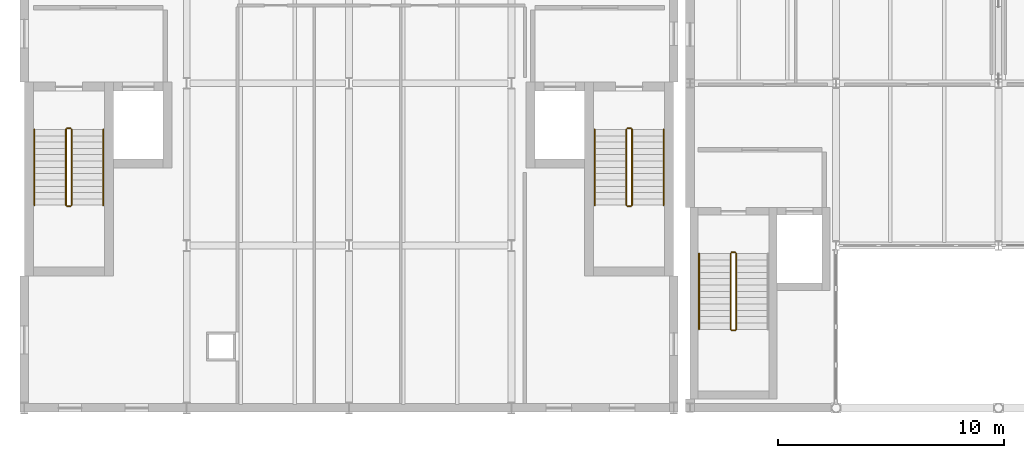
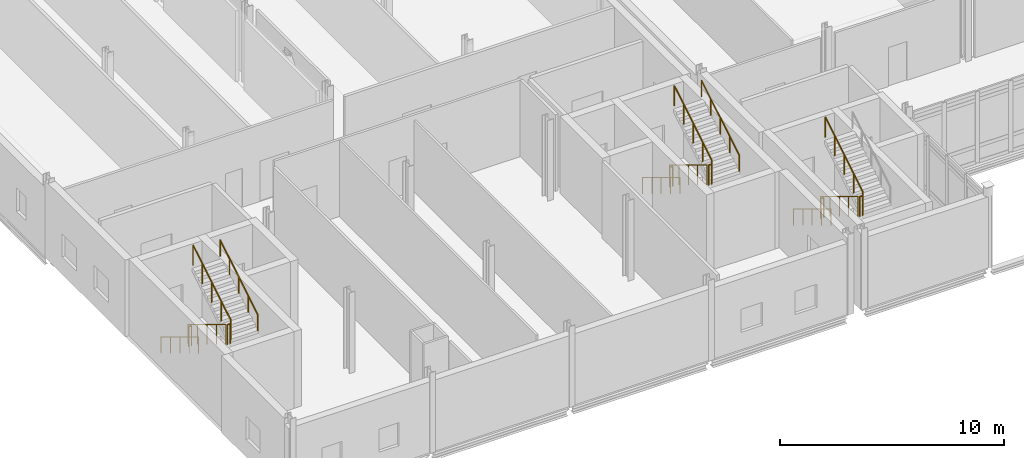
# One storey, part 65 of 76: 17 railings.
"""IFC4 building model written with IfcOpenShell, lengths in metres."""

from ifc_helpers import new_model, si_unit, direction, frame, origin, origin_2d, place, context, subcontext, project, spatial, circle, extrude, material, layer, layer_set, type_object, element, save


model = new_model("IFC4")

# Units and contexts
model_context = context("Model", 3, precision=1e-05, world=origin(), true_north=direction((0.0, 1.0)))
body_context = subcontext(model_context, "Body", "Model", "MODEL_VIEW")
ifc_project = project(units=[si_unit("LENGTHUNIT", "METRE"), si_unit("AREAUNIT", "SQUARE_METRE"), si_unit("VOLUMEUNIT", "CUBIC_METRE"), si_unit("PLANEANGLEUNIT", "RADIAN"), si_unit("MASSUNIT", "GRAM", prefix="KILO")], contexts=[model_context])

# Site, building, storey
site_placement = place(None, origin())
site = spatial("IfcSite", under=ifc_project, at=site_placement, CompositionType="ELEMENT")
building_placement = place(site_placement, origin())
building = spatial("IfcBuilding", under=site, at=building_placement, Name="Zarrinpeak Specialist Clinic", CompositionType="ELEMENT")
storey_placement = place(building_placement, frame((0.0, 0.0, 5.199951171875)))
storey = spatial("IfcBuildingStorey", under=building, at=storey_placement, Name="L01", CompositionType="ELEMENT", Elevation=5.199951171875)

# Railings
ifc_material_1 = material(Name="Laminated Safety Glass and Stainless Steel 316", Category="steel")
ifc_layer_1 = layer(ifc_material_1, 0.06005859375)
ifc_layer_set_1 = layer_set([ifc_layer_1], Name="Laminated Safety Glass and Stainless Steel 316")
railing_type_1 = type_object("IfcRailingType", Name="RL-GRD115", PredefinedType="GUARDRAIL", material=ifc_layer_set_1)
railing_1_placement = place(storey_placement, frame((1.85009765625, 12.35009765625, 0.169189453125)))
element("IfcRailing", 1, at=railing_1_placement, inside=storey, type_object=railing_type_1, Name="L01 ST-01 stair guard 1", PredefinedType="GUARDRAIL", context=body_context, shape_type="SweptSolid", body=[
    extrude(circle(Radius=0.02392578125, at=origin_2d()), frame((0.0, 0.0, 1.076171875), z_axis=(0.0, -0.855836976705, 0.517245656632), x_axis=(1.0, 0.0, 0.0)), (0.0, 0.0, 1.0), 3.926025390625),
    extrude(circle(Radius=0.02099609375, at=origin_2d()), origin(), (0.0, 0.0, 1.0), 1.052001953125),
    extrude(circle(Radius=0.02099609375, at=origin_2d()), frame((0.0, -0.840087890625, 0.5078125)), (0.0, 0.0, 1.0), 1.052001953125),
    extrude(circle(Radius=0.02099609375, at=origin_2d()), frame((0.0, -1.68017578125, 1.015380859375)), (0.0, 0.0, 1.0), 1.052001953125),
    extrude(circle(Radius=0.02099609375, at=origin_2d()), frame((0.0, -2.52001953125, 1.52294921875)), (0.0, 0.0, 1.0), 1.052001953125),
    extrude(circle(Radius=0.02099609375, at=origin_2d()), frame((0.0, -3.360107421875, 2.03076171875)), (0.0, 0.0, 1.0), 1.052001953125),
])
railing_2_placement = place(storey_placement, frame((1.89990234375, 8.93994140625, 2.199951171875)))
element("IfcRailing", 2, at=railing_2_placement, inside=storey, type_object=railing_type_1, Name="L01 ST-01 stair guard 2", PredefinedType="GUARDRAIL", context=body_context, shape_type="SweptSolid", body=[
    extrude(circle(Radius=0.02392578125, at=origin_2d()), frame((0.0, 0.0, 1.076171875), z_axis=(1.0, 0.0, 0.0), x_axis=(0.0, 1.0, 0.0)), (0.0, 0.0, 1.0), 0.150146484375),
    extrude(circle(Radius=0.02099609375, at=origin_2d()), origin(), (0.0, 0.0, 1.0), 1.052001953125),
    extrude(circle(Radius=0.02099609375, at=origin_2d()), frame((0.150146484375, 0.0, 0.0)), (0.0, 0.0, 1.0), 1.052001953125),
])
railing_3_placement = place(storey_placement, frame((2.10009765625, 8.989990234375, 2.369384765625)))
element("IfcRailing", 3, at=railing_3_placement, inside=storey, type_object=railing_type_1, Name="L01 ST-01 stair guard 3", PredefinedType="GUARDRAIL", context=body_context, shape_type="SweptSolid", body=[
    extrude(circle(Radius=0.02392578125, at=origin_2d()), frame((0.0, 0.0, 1.076171875), z_axis=(0.0, 0.855836976705, 0.517245656632), x_axis=(-1.0, 0.0, 0.0)), (0.0, 0.0, 1.0), 3.926025390625),
    extrude(circle(Radius=0.02099609375, at=origin_2d()), origin(), (0.0, 0.0, 1.0), 1.052001953125),
    extrude(circle(Radius=0.02099609375, at=origin_2d()), frame((0.0, 0.840087890625, 0.5078125)), (0.0, 0.0, 1.0), 1.052001953125),
    extrude(circle(Radius=0.02099609375, at=origin_2d()), frame((0.0, 1.68017578125, 1.015380859375)), (0.0, 0.0, 1.0), 1.052001953125),
    extrude(circle(Radius=0.02099609375, at=origin_2d()), frame((0.0, 2.52001953125, 1.52294921875)), (0.0, 0.0, 1.0), 1.052001953125),
    extrude(circle(Radius=0.02099609375, at=origin_2d()), frame((0.0, 3.360107421875, 2.03076171875)), (0.0, 0.0, 1.0), 1.052001953125),
])
railing_4_placement = place(storey_placement, frame((1.89990234375, 12.39990234375, 0.0)))
element("IfcRailing", 4, at=railing_4_placement, inside=storey, type_object=railing_type_1, Name="L01 ST-01 stair guard 4", PredefinedType="GUARDRAIL", context=body_context, shape_type="SweptSolid", body=[
    extrude(circle(Radius=0.02392578125, at=origin_2d()), frame((0.0, 0.0, 1.076171875), z_axis=(1.0, 0.0, 0.0), x_axis=(0.0, 1.0, 0.0)), (0.0, 0.0, 1.0), 0.150146484375),
    extrude(circle(Radius=0.02099609375, at=origin_2d()), origin(), (0.0, 0.0, 1.0), 1.052001953125),
    extrude(circle(Radius=0.02099609375, at=origin_2d()), frame((0.150146484375, 0.0, 0.0)), (0.0, 0.0, 1.0), 1.052001953125),
])
railing_5_placement = place(storey_placement, frame((26.699951171875, 12.35009765625, 0.169189453125)))
element("IfcRailing", 5, at=railing_5_placement, inside=storey, type_object=railing_type_1, Name="L01 ST-02 stair guard 1", PredefinedType="GUARDRAIL", context=body_context, shape_type="SweptSolid", body=[
    extrude(circle(Radius=0.02392578125, at=origin_2d()), frame((0.0, 0.0, 1.076171875), z_axis=(0.0, -0.855836976705, 0.517245656632), x_axis=(1.0, 0.0, 0.0)), (0.0, 0.0, 1.0), 3.926025390625),
    extrude(circle(Radius=0.02099609375, at=origin_2d()), origin(), (0.0, 0.0, 1.0), 1.052001953125),
    extrude(circle(Radius=0.02099609375, at=origin_2d()), frame((0.0, -0.840087890625, 0.5078125)), (0.0, 0.0, 1.0), 1.052001953125),
    extrude(circle(Radius=0.02099609375, at=origin_2d()), frame((0.0, -1.68017578125, 1.015380859375)), (0.0, 0.0, 1.0), 1.052001953125),
    extrude(circle(Radius=0.02099609375, at=origin_2d()), frame((0.0, -2.52001953125, 1.52294921875)), (0.0, 0.0, 1.0), 1.052001953125),
    extrude(circle(Radius=0.02099609375, at=origin_2d()), frame((0.0, -3.360107421875, 2.03076171875)), (0.0, 0.0, 1.0), 1.052001953125),
])
railing_6_placement = place(storey_placement, frame((26.75, 8.93994140625, 2.199951171875)))
element("IfcRailing", 6, at=railing_6_placement, inside=storey, type_object=railing_type_1, Name="L01 ST-02 stair guard 2", PredefinedType="GUARDRAIL", context=body_context, shape_type="SweptSolid", body=[
    extrude(circle(Radius=0.02392578125, at=origin_2d()), frame((0.0, 0.0, 1.076171875), z_axis=(1.0, 0.0, 0.0), x_axis=(0.0, 1.0, 0.0)), (0.0, 0.0, 1.0), 0.14990234375),
    extrude(circle(Radius=0.02099609375, at=origin_2d()), origin(), (0.0, 0.0, 1.0), 1.052001953125),
    extrude(circle(Radius=0.02099609375, at=origin_2d()), frame((0.14990234375, 0.0, 0.0)), (0.0, 0.0, 1.0), 1.052001953125),
])
railing_7_placement = place(storey_placement, frame((26.949951171875, 8.989990234375, 2.369384765625)))
element("IfcRailing", 7, at=railing_7_placement, inside=storey, type_object=railing_type_1, Name="L01 ST-02 stair guard 3", PredefinedType="GUARDRAIL", context=body_context, shape_type="SweptSolid", body=[
    extrude(circle(Radius=0.02392578125, at=origin_2d()), frame((0.0, 0.0, 1.076171875), z_axis=(0.0, 0.855836976705, 0.517245656632), x_axis=(-1.0, 0.0, 0.0)), (0.0, 0.0, 1.0), 3.926025390625),
    extrude(circle(Radius=0.02099609375, at=origin_2d()), origin(), (0.0, 0.0, 1.0), 1.052001953125),
    extrude(circle(Radius=0.02099609375, at=origin_2d()), frame((0.0, 0.840087890625, 0.5078125)), (0.0, 0.0, 1.0), 1.052001953125),
    extrude(circle(Radius=0.02099609375, at=origin_2d()), frame((0.0, 1.68017578125, 1.015380859375)), (0.0, 0.0, 1.0), 1.052001953125),
    extrude(circle(Radius=0.02099609375, at=origin_2d()), frame((0.0, 2.52001953125, 1.52294921875)), (0.0, 0.0, 1.0), 1.052001953125),
    extrude(circle(Radius=0.02099609375, at=origin_2d()), frame((0.0, 3.360107421875, 2.03076171875)), (0.0, 0.0, 1.0), 1.052001953125),
])
railing_8_placement = place(storey_placement, frame((26.75, 12.39990234375, 0.0)))
element("IfcRailing", 8, at=railing_8_placement, inside=storey, type_object=railing_type_1, Name="L01 ST-02 stair guard 4", PredefinedType="GUARDRAIL", context=body_context, shape_type="SweptSolid", body=[
    extrude(circle(Radius=0.02392578125, at=origin_2d()), frame((0.0, 0.0, 1.076171875), z_axis=(1.0, 0.0, 0.0), x_axis=(0.0, 1.0, 0.0)), (0.0, 0.0, 1.0), 0.14990234375),
    extrude(circle(Radius=0.02099609375, at=origin_2d()), origin(), (0.0, 0.0, 1.0), 1.052001953125),
    extrude(circle(Radius=0.02099609375, at=origin_2d()), frame((0.14990234375, 0.0, 0.0)), (0.0, 0.0, 1.0), 1.052001953125),
])
railing_9_placement = place(storey_placement, frame((31.320068359375, 6.85009765625, 0.169189453125)))
element("IfcRailing", 9, at=railing_9_placement, inside=storey, type_object=railing_type_1, Name="L01 ST-03 stair guard 1", PredefinedType="GUARDRAIL", context=body_context, shape_type="SweptSolid", body=[
    extrude(circle(Radius=0.02392578125, at=origin_2d()), frame((0.0, 0.0, 1.076171875), z_axis=(0.0, -0.855836976705, 0.517245656632), x_axis=(1.0, 0.0, 0.0)), (0.0, 0.0, 1.0), 3.926025390625),
    extrude(circle(Radius=0.02099609375, at=origin_2d()), origin(), (0.0, 0.0, 1.0), 1.052001953125),
    extrude(circle(Radius=0.02099609375, at=origin_2d()), frame((0.0, -0.840087890625, 0.5078125)), (0.0, 0.0, 1.0), 1.052001953125),
    extrude(circle(Radius=0.02099609375, at=origin_2d()), frame((0.0, -1.68017578125, 1.015380859375)), (0.0, 0.0, 1.0), 1.052001953125),
    extrude(circle(Radius=0.02099609375, at=origin_2d()), frame((0.0, -2.52001953125, 1.52294921875)), (0.0, 0.0, 1.0), 1.052001953125),
    extrude(circle(Radius=0.02099609375, at=origin_2d()), frame((0.0, -3.360107421875, 2.03076171875)), (0.0, 0.0, 1.0), 1.052001953125),
])
railing_10_placement = place(storey_placement, frame((31.3701171875, 3.43994140625, 2.199951171875)))
element("IfcRailing", 10, at=railing_10_placement, inside=storey, type_object=railing_type_1, Name="L01 ST-03 stair guard 2", PredefinedType="GUARDRAIL", context=body_context, shape_type="SweptSolid", body=[
    extrude(circle(Radius=0.02392578125, at=origin_2d()), frame((0.0, 0.0, 1.076171875), z_axis=(1.0, 0.0, 0.0), x_axis=(0.0, 1.0, 0.0)), (0.0, 0.0, 1.0), 0.14990234375),
    extrude(circle(Radius=0.02099609375, at=origin_2d()), origin(), (0.0, 0.0, 1.0), 1.052001953125),
    extrude(circle(Radius=0.02099609375, at=origin_2d()), frame((0.14990234375, 0.0, 0.0)), (0.0, 0.0, 1.0), 1.052001953125),
])
railing_11_placement = place(storey_placement, frame((31.570068359375, 3.489990234375, 2.369384765625)))
element("IfcRailing", 11, at=railing_11_placement, inside=storey, type_object=railing_type_1, Name="L01 ST-03 stair guard 3", PredefinedType="GUARDRAIL", context=body_context, shape_type="SweptSolid", body=[
    extrude(circle(Radius=0.02392578125, at=origin_2d()), frame((0.0, 0.0, 1.076171875), z_axis=(0.0, 0.855836976705, 0.517245656632), x_axis=(-1.0, 0.0, 0.0)), (0.0, 0.0, 1.0), 3.926025390625),
    extrude(circle(Radius=0.02099609375, at=origin_2d()), origin(), (0.0, 0.0, 1.0), 1.052001953125),
    extrude(circle(Radius=0.02099609375, at=origin_2d()), frame((0.0, 0.840087890625, 0.5078125)), (0.0, 0.0, 1.0), 1.052001953125),
    extrude(circle(Radius=0.02099609375, at=origin_2d()), frame((0.0, 1.68017578125, 1.015380859375)), (0.0, 0.0, 1.0), 1.052001953125),
    extrude(circle(Radius=0.02099609375, at=origin_2d()), frame((0.0, 2.52001953125, 1.52294921875)), (0.0, 0.0, 1.0), 1.052001953125),
    extrude(circle(Radius=0.02099609375, at=origin_2d()), frame((0.0, 3.360107421875, 2.03076171875)), (0.0, 0.0, 1.0), 1.052001953125),
])
railing_12_placement = place(storey_placement, frame((31.3701171875, 6.89990234375, 0.0)))
element("IfcRailing", 12, at=railing_12_placement, inside=storey, type_object=railing_type_1, Name="L01 ST-03 stair guard 4", PredefinedType="GUARDRAIL", context=body_context, shape_type="SweptSolid", body=[
    extrude(circle(Radius=0.02392578125, at=origin_2d()), frame((0.0, 0.0, 1.076171875), z_axis=(1.0, 0.0, 0.0), x_axis=(0.0, 1.0, 0.0)), (0.0, 0.0, 1.0), 0.14990234375),
    extrude(circle(Radius=0.02099609375, at=origin_2d()), origin(), (0.0, 0.0, 1.0), 1.052001953125),
    extrude(circle(Radius=0.02099609375, at=origin_2d()), frame((0.14990234375, 0.0, 0.0)), (0.0, 0.0, 1.0), 1.052001953125),
])
ifc_material_2 = material(Name="Brushed Stainless Steel 316 Handrail", Category="steel")
ifc_layer_2 = layer(ifc_material_2, 0.050048828125)
ifc_layer_set_2 = layer_set([ifc_layer_2], Name="Brushed Stainless Steel 316 Handrail")
railing_type_2 = type_object("IfcRailingType", Name="RL-HND92", PredefinedType="HANDRAIL", material=ifc_layer_set_2)
railing_13_placement = place(storey_placement, frame((0.449951171875, 12.35009765625, 0.169189453125)))
element("IfcRailing", 13, at=railing_13_placement, inside=storey, type_object=railing_type_2, Name="L01 ST-01 stair handrail 1", PredefinedType="HANDRAIL", context=body_context, shape_type="SweptSolid", body=[
    extrude(circle(Radius=0.02392578125, at=origin_2d()), frame((0.0, 0.0, 0.8759765625), z_axis=(0.0, -0.855836976705, 0.517245656632), x_axis=(1.0, 0.0, 0.0)), (0.0, 0.0, 1.0), 3.926025390625),
    extrude(circle(Radius=0.02099609375, at=origin_2d()), origin(), (0.0, 0.0, 1.0), 0.851806640625),
    extrude(circle(Radius=0.02099609375, at=origin_2d()), frame((0.0, -0.840087890625, 0.5078125)), (0.0, 0.0, 1.0), 0.851806640625),
    extrude(circle(Radius=0.02099609375, at=origin_2d()), frame((0.0, -1.68017578125, 1.015380859375)), (0.0, 0.0, 1.0), 0.851806640625),
    extrude(circle(Radius=0.02099609375, at=origin_2d()), frame((0.0, -2.52001953125, 1.52294921875)), (0.0, 0.0, 1.0), 0.851806640625),
    extrude(circle(Radius=0.02099609375, at=origin_2d()), frame((0.0, -3.360107421875, 2.03076171875)), (0.0, 0.0, 1.0), 0.851806640625),
])
railing_14_placement = place(storey_placement, frame((3.5, 8.989990234375, 2.369384765625)))
element("IfcRailing", 14, at=railing_14_placement, inside=storey, type_object=railing_type_2, Name="L01 ST-01 stair handrail 2", PredefinedType="HANDRAIL", context=body_context, shape_type="SweptSolid", body=[
    extrude(circle(Radius=0.02392578125, at=origin_2d()), frame((0.0, 0.0, 0.8759765625), z_axis=(0.0, 0.855836976705, 0.517245656632), x_axis=(-1.0, 0.0, 0.0)), (0.0, 0.0, 1.0), 3.926025390625),
    extrude(circle(Radius=0.02099609375, at=origin_2d()), origin(), (0.0, 0.0, 1.0), 0.851806640625),
    extrude(circle(Radius=0.02099609375, at=origin_2d()), frame((0.0, 0.840087890625, 0.5078125)), (0.0, 0.0, 1.0), 0.851806640625),
    extrude(circle(Radius=0.02099609375, at=origin_2d()), frame((0.0, 1.68017578125, 1.015380859375)), (0.0, 0.0, 1.0), 0.851806640625),
    extrude(circle(Radius=0.02099609375, at=origin_2d()), frame((0.0, 2.52001953125, 1.52294921875)), (0.0, 0.0, 1.0), 0.851806640625),
    extrude(circle(Radius=0.02099609375, at=origin_2d()), frame((0.0, 3.360107421875, 2.03076171875)), (0.0, 0.0, 1.0), 0.851806640625),
])
railing_15_placement = place(storey_placement, frame((25.300048828125, 12.35009765625, 0.169189453125)))
element("IfcRailing", 15, at=railing_15_placement, inside=storey, type_object=railing_type_2, Name="L01 ST-02 stair handrail 1", PredefinedType="HANDRAIL", context=body_context, shape_type="SweptSolid", body=[
    extrude(circle(Radius=0.02392578125, at=origin_2d()), frame((0.0, 0.0, 0.8759765625), z_axis=(0.0, -0.855836976705, 0.517245656632), x_axis=(1.0, 0.0, 0.0)), (0.0, 0.0, 1.0), 3.926025390625),
    extrude(circle(Radius=0.02099609375, at=origin_2d()), origin(), (0.0, 0.0, 1.0), 0.851806640625),
    extrude(circle(Radius=0.02099609375, at=origin_2d()), frame((0.0, -0.840087890625, 0.5078125)), (0.0, 0.0, 1.0), 0.851806640625),
    extrude(circle(Radius=0.02099609375, at=origin_2d()), frame((0.0, -1.68017578125, 1.015380859375)), (0.0, 0.0, 1.0), 0.851806640625),
    extrude(circle(Radius=0.02099609375, at=origin_2d()), frame((0.0, -2.52001953125, 1.52294921875)), (0.0, 0.0, 1.0), 0.851806640625),
    extrude(circle(Radius=0.02099609375, at=origin_2d()), frame((0.0, -3.360107421875, 2.03076171875)), (0.0, 0.0, 1.0), 0.851806640625),
])
railing_16_placement = place(storey_placement, frame((28.35009765625, 8.989990234375, 2.369384765625)))
element("IfcRailing", 16, at=railing_16_placement, inside=storey, type_object=railing_type_2, Name="L01 ST-02 stair handrail 2", PredefinedType="HANDRAIL", context=body_context, shape_type="SweptSolid", body=[
    extrude(circle(Radius=0.02392578125, at=origin_2d()), frame((0.0, 0.0, 0.8759765625), z_axis=(0.0, 0.855836976705, 0.517245656632), x_axis=(-1.0, 0.0, 0.0)), (0.0, 0.0, 1.0), 3.926025390625),
    extrude(circle(Radius=0.02099609375, at=origin_2d()), origin(), (0.0, 0.0, 1.0), 0.851806640625),
    extrude(circle(Radius=0.02099609375, at=origin_2d()), frame((0.0, 0.840087890625, 0.5078125)), (0.0, 0.0, 1.0), 0.851806640625),
    extrude(circle(Radius=0.02099609375, at=origin_2d()), frame((0.0, 1.68017578125, 1.015380859375)), (0.0, 0.0, 1.0), 0.851806640625),
    extrude(circle(Radius=0.02099609375, at=origin_2d()), frame((0.0, 2.52001953125, 1.52294921875)), (0.0, 0.0, 1.0), 0.851806640625),
    extrude(circle(Radius=0.02099609375, at=origin_2d()), frame((0.0, 3.360107421875, 2.03076171875)), (0.0, 0.0, 1.0), 0.851806640625),
])
railing_17_placement = place(storey_placement, frame((29.919921875, 6.85009765625, 0.169189453125)))
element("IfcRailing", 17, at=railing_17_placement, inside=storey, type_object=railing_type_2, Name="L01 ST-03 stair handrail 1", PredefinedType="HANDRAIL", context=body_context, shape_type="SweptSolid", body=[
    extrude(circle(Radius=0.02392578125, at=origin_2d()), frame((0.0, 0.0, 0.8759765625), z_axis=(0.0, -0.855836976705, 0.517245656632), x_axis=(1.0, 0.0, 0.0)), (0.0, 0.0, 1.0), 3.926025390625),
    extrude(circle(Radius=0.02099609375, at=origin_2d()), origin(), (0.0, 0.0, 1.0), 0.851806640625),
    extrude(circle(Radius=0.02099609375, at=origin_2d()), frame((0.0, -0.840087890625, 0.5078125)), (0.0, 0.0, 1.0), 0.851806640625),
    extrude(circle(Radius=0.02099609375, at=origin_2d()), frame((0.0, -1.68017578125, 1.015380859375)), (0.0, 0.0, 1.0), 0.851806640625),
    extrude(circle(Radius=0.02099609375, at=origin_2d()), frame((0.0, -2.52001953125, 1.52294921875)), (0.0, 0.0, 1.0), 0.851806640625),
    extrude(circle(Radius=0.02099609375, at=origin_2d()), frame((0.0, -3.360107421875, 2.03076171875)), (0.0, 0.0, 1.0), 0.851806640625),
])

save(model, "model.ifc")
